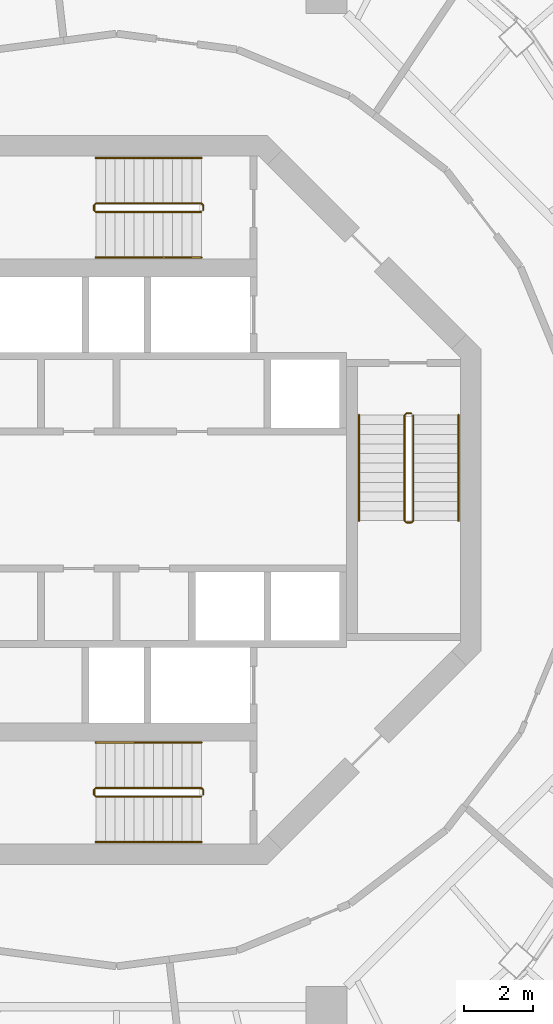
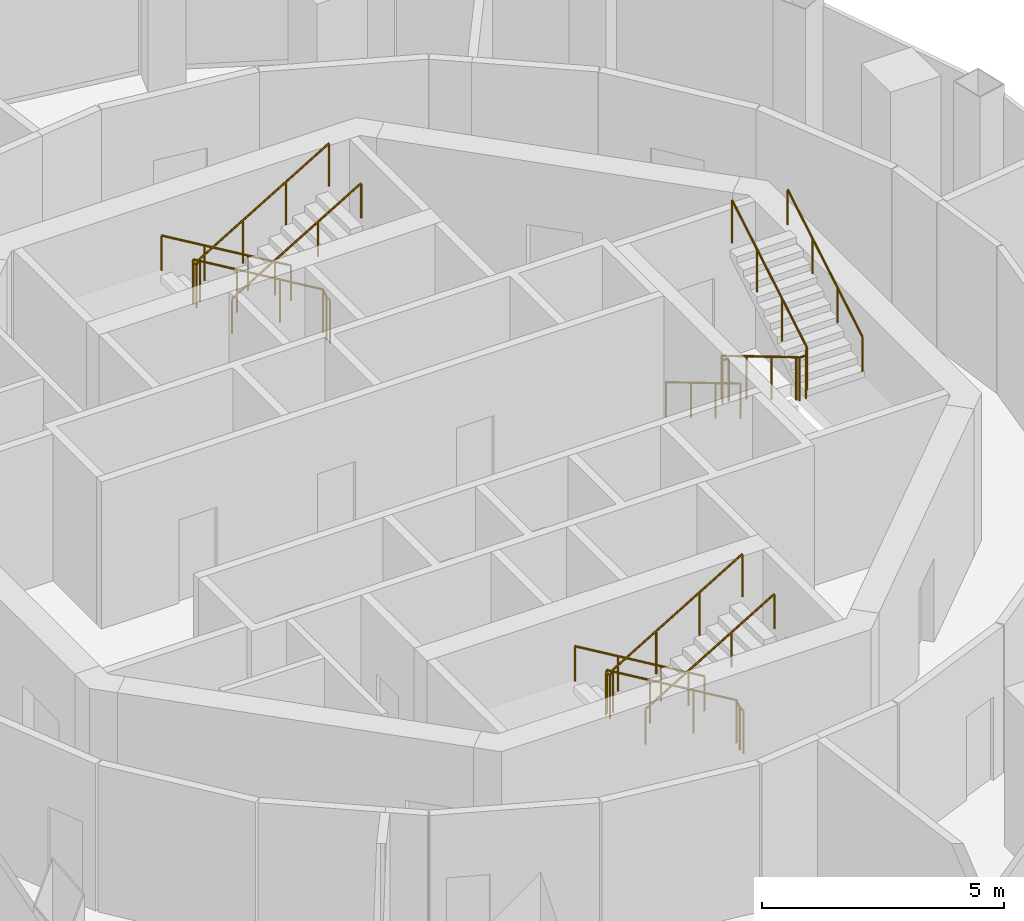
# One storey, part 11 of 11: 9 railings.
"""IFC4 building model written with IfcOpenShell, lengths in metres."""

from ifc_helpers import new_model, si_unit, direction, frame, origin, origin_2d, place, context, subcontext, project, spatial, circle, extrude, material, type_object, element, save


model = new_model("IFC4")

# Units and contexts
model_context = context("Model", 3, precision=1e-05, world=origin(), true_north=direction((0.0, 1.0)))
body_context = subcontext(model_context, "Body", "Model", "MODEL_VIEW")
ifc_project = project(units=[si_unit("LENGTHUNIT", "METRE"), si_unit("AREAUNIT", "SQUARE_METRE"), si_unit("VOLUMEUNIT", "CUBIC_METRE"), si_unit("PLANEANGLEUNIT", "RADIAN"), si_unit("MASSUNIT", "GRAM", prefix="KILO")], contexts=[model_context])

# Site, building, storey
site_placement = place(None, origin())
site = spatial("IfcSite", under=ifc_project, at=site_placement, CompositionType="ELEMENT")
building_placement = place(site_placement, origin())
building = spatial("IfcBuilding", under=site, at=building_placement, Name="Nagisa Residences", CompositionType="ELEMENT")
storey_placement = place(building_placement, frame((0.0, 0.0, 324.89990234375)))
storey = spatial("IfcBuildingStorey", under=building, at=storey_placement, Name="L80", CompositionType="ELEMENT", Elevation=324.89990234375)

# Railings
ifc_material_1 = material(Name="Stainless steel", Category="steel")
railing_type_1 = type_object("IfcRailingType", Name="Stair guard 1100", PredefinedType="GUARDRAIL", material=ifc_material_1)
railing_1_placement = place(storey_placement, frame((8.599609375, 2.52490234375, 0.0)))
element("IfcRailing", 1, at=railing_1_placement, inside=storey, type_object=railing_type_1, Name="L80 ST-E stair guard 1", PredefinedType="GUARDRAIL", context=body_context, shape_type="SweptSolid", body=[
    extrude(circle(Radius=0.02392578125, at=origin_2d()), frame((0.0, 0.0, 1.076171875), z_axis=(-1.0, 0.0, 0.0), x_axis=(0.0, -1.0, 0.0)), (0.0, 0.0, 1.0), 0.14990234375),
    extrude(circle(Radius=0.02392578125, at=origin_2d()), frame((-0.14990234375, 0.0, 1.076171875), z_axis=(-0.276389281352, -0.275041040955, 0.920848191041), x_axis=(0.705375805398, -0.708833529934, 0.0)), (0.0, 0.0, 1.0), 0.18115234375),
    extrude(circle(Radius=0.02392578125, at=origin_2d()), frame((-0.199951171875, -0.0498046875, 1.24267578125), z_axis=(0.0, -0.859308565015, 0.511457515432), x_axis=(1.0, 0.0, 0.0)), (0.0, 0.0, 1.0), 3.58447265625),
    extrude(circle(Radius=0.02392578125, at=origin_2d()), frame((-0.199951171875, -3.1298828125, 3.076171875), z_axis=(0.707106781187, -0.707106781187, 0.0), x_axis=(0.707106781187, 0.707106781187, 0.0)), (0.0, 0.0, 1.0), 0.07080078125),
    extrude(circle(Radius=0.02392578125, at=origin_2d()), frame((-0.14990234375, -3.179931640625, 3.076171875), z_axis=(1.0, 0.0, 0.0), x_axis=(0.0, 1.0, 0.0)), (0.0, 0.0, 1.0), 0.14990234375),
    extrude(circle(Radius=0.02392578125, at=origin_2d()), frame((0.0, -3.179931640625, 3.076171875), z_axis=(0.27628659633, 0.27628659633, 0.920506074601), x_axis=(-0.707106781187, 0.707106781187, 0.0)), (0.0, 0.0, 1.0), 0.18115234375),
    extrude(circle(Radius=0.02392578125, at=origin_2d()), frame((0.050048828125, -3.1298828125, 3.24267578125), z_axis=(0.0, 0.859308565015, 0.511457515432), x_axis=(-1.0, 0.0, 0.0)), (0.0, 0.0, 1.0), 3.58447265625),
    extrude(circle(Radius=0.02099609375, at=origin_2d()), origin(), (0.0, 0.0, 1.0), 1.052001953125),
    extrude(circle(Radius=0.02099609375, at=origin_2d()), frame((-0.14990234375, 0.0, 0.0)), (0.0, 0.0, 1.0), 1.052001953125),
    extrude(circle(Radius=0.02099609375, at=origin_2d()), frame((-0.199951171875, -0.0498046875, 0.166748046875)), (0.0, 0.0, 1.0), 1.052001953125),
    extrude(circle(Radius=0.02099609375, at=origin_2d()), frame((-0.199951171875, -1.076416015625, 0.77783203125)), (0.0, 0.0, 1.0), 1.052001953125),
    extrude(circle(Radius=0.02099609375, at=origin_2d()), frame((-0.199951171875, -2.103271484375, 1.388916015625)), (0.0, 0.0, 1.0), 1.052001953125),
    extrude(circle(Radius=0.02099609375, at=origin_2d()), frame((-0.199951171875, -3.1298828125, 2.0)), (0.0, 0.0, 1.0), 1.052001953125),
    extrude(circle(Radius=0.02099609375, at=origin_2d()), frame((-0.14990234375, -3.179931640625, 2.0)), (0.0, 0.0, 1.0), 1.052001953125),
    extrude(circle(Radius=0.02099609375, at=origin_2d()), frame((0.0, -3.179931640625, 2.0)), (0.0, 0.0, 1.0), 1.052001953125),
    extrude(circle(Radius=0.02099609375, at=origin_2d()), frame((0.050048828125, -3.1298828125, 2.166748046875)), (0.0, 0.0, 1.0), 1.052001953125),
    extrude(circle(Radius=0.02099609375, at=origin_2d()), frame((0.050048828125, -2.103271484375, 2.77783203125)), (0.0, 0.0, 1.0), 1.052001953125),
    extrude(circle(Radius=0.02099609375, at=origin_2d()), frame((0.050048828125, -1.076416015625, 3.388916015625)), (0.0, 0.0, 1.0), 1.052001953125),
    extrude(circle(Radius=0.02099609375, at=origin_2d()), frame((0.050048828125, -0.0498046875, 4.0)), (0.0, 0.0, 1.0), 1.052001953125),
])
railing_2_placement = place(storey_placement, frame((2.52490234375, 8.44970703125, 0.0)))
element("IfcRailing", 2, at=railing_2_placement, inside=storey, type_object=railing_type_1, Name="L80 ST-N stair guard 1", PredefinedType="GUARDRAIL", context=body_context, shape_type="SweptSolid", body=[
    extrude(circle(Radius=0.02392578125, at=origin_2d()), frame((0.0, 0.0, 1.076171875), z_axis=(0.0, 1.0, 0.0), x_axis=(-1.0, 0.0, 0.0)), (0.0, 0.0, 1.0), 0.14990234375),
    extrude(circle(Radius=0.02392578125, at=origin_2d()), frame((0.0, 0.14990234375, 1.076171875), z_axis=(-0.275041040955, 0.276389281352, 0.920848191041), x_axis=(-0.708833529934, -0.705375805398, 0.0)), (0.0, 0.0, 1.0), 0.18115234375),
    extrude(circle(Radius=0.02392578125, at=origin_2d()), frame((-0.0498046875, 0.199951171875, 1.24267578125), z_axis=(-0.859308565015, 0.0, 0.511457515432), x_axis=(0.0, -1.0, 0.0)), (0.0, 0.0, 1.0), 3.58447265625),
    extrude(circle(Radius=0.02392578125, at=origin_2d()), frame((-3.1298828125, 0.199951171875, 3.076171875), z_axis=(-0.707106781187, -0.707106781187, 0.0), x_axis=(0.707106781187, -0.707106781187, 0.0)), (0.0, 0.0, 1.0), 0.07080078125),
    extrude(circle(Radius=0.02392578125, at=origin_2d()), frame((-3.179931640625, 0.14990234375, 3.076171875), z_axis=(0.0, -1.0, 0.0), x_axis=(1.0, 0.0, 0.0)), (0.0, 0.0, 1.0), 0.14990234375),
    extrude(circle(Radius=0.02392578125, at=origin_2d()), frame((-3.179931640625, 0.0, 3.076171875), z_axis=(0.27628659633, -0.27628659633, 0.920506074601), x_axis=(0.707106781187, 0.707106781187, 0.0)), (0.0, 0.0, 1.0), 0.18115234375),
    extrude(circle(Radius=0.02392578125, at=origin_2d()), frame((-3.1298828125, -0.050048828125, 3.24267578125), z_axis=(0.859308565015, 0.0, 0.511457515432), x_axis=(0.0, 1.0, 0.0)), (0.0, 0.0, 1.0), 3.58447265625),
    extrude(circle(Radius=0.02099609375, at=origin_2d()), origin(), (0.0, 0.0, 1.0), 1.052001953125),
    extrude(circle(Radius=0.02099609375, at=origin_2d()), frame((0.0, 0.14990234375, 0.0)), (0.0, 0.0, 1.0), 1.052001953125),
    extrude(circle(Radius=0.02099609375, at=origin_2d()), frame((-0.0498046875, 0.199951171875, 0.166748046875)), (0.0, 0.0, 1.0), 1.052001953125),
    extrude(circle(Radius=0.02099609375, at=origin_2d()), frame((-1.076416015625, 0.199951171875, 0.77783203125)), (0.0, 0.0, 1.0), 1.052001953125),
    extrude(circle(Radius=0.02099609375, at=origin_2d()), frame((-2.103271484375, 0.199951171875, 1.388916015625)), (0.0, 0.0, 1.0), 1.052001953125),
    extrude(circle(Radius=0.02099609375, at=origin_2d()), frame((-3.1298828125, 0.199951171875, 2.0)), (0.0, 0.0, 1.0), 1.052001953125),
    extrude(circle(Radius=0.02099609375, at=origin_2d()), frame((-3.179931640625, 0.14990234375, 2.0)), (0.0, 0.0, 1.0), 1.052001953125),
    extrude(circle(Radius=0.02099609375, at=origin_2d()), frame((-3.179931640625, 0.0, 2.0)), (0.0, 0.0, 1.0), 1.052001953125),
    extrude(circle(Radius=0.02099609375, at=origin_2d()), frame((-3.1298828125, -0.050048828125, 2.166748046875)), (0.0, 0.0, 1.0), 1.052001953125),
    extrude(circle(Radius=0.02099609375, at=origin_2d()), frame((-2.103271484375, -0.050048828125, 2.77783203125)), (0.0, 0.0, 1.0), 1.052001953125),
    extrude(circle(Radius=0.02099609375, at=origin_2d()), frame((-1.076416015625, -0.050048828125, 3.388916015625)), (0.0, 0.0, 1.0), 1.052001953125),
    extrude(circle(Radius=0.02099609375, at=origin_2d()), frame((-0.0498046875, -0.050048828125, 4.0)), (0.0, 0.0, 1.0), 1.052001953125),
])
railing_3_placement = place(storey_placement, frame((2.52490234375, -8.599609375, 0.0)))
element("IfcRailing", 3, at=railing_3_placement, inside=storey, type_object=railing_type_1, Name="L80 ST-S stair guard 1", PredefinedType="GUARDRAIL", context=body_context, shape_type="SweptSolid", body=[
    extrude(circle(Radius=0.02392578125, at=origin_2d()), frame((0.0, 0.0, 1.076171875), z_axis=(0.0, 1.0, 0.0), x_axis=(-1.0, 0.0, 0.0)), (0.0, 0.0, 1.0), 0.14990234375),
    extrude(circle(Radius=0.02392578125, at=origin_2d()), frame((0.0, 0.14990234375, 1.076171875), z_axis=(-0.275041040955, 0.276389281352, 0.920848191041), x_axis=(-0.708833529934, -0.705375805398, 0.0)), (0.0, 0.0, 1.0), 0.18115234375),
    extrude(circle(Radius=0.02392578125, at=origin_2d()), frame((-0.0498046875, 0.199951171875, 1.24267578125), z_axis=(-0.859308565015, 0.0, 0.511457515432), x_axis=(0.0, -1.0, 0.0)), (0.0, 0.0, 1.0), 3.58447265625),
    extrude(circle(Radius=0.02392578125, at=origin_2d()), frame((-3.1298828125, 0.199951171875, 3.076171875), z_axis=(-0.707106781187, -0.707106781187, 0.0), x_axis=(0.707106781187, -0.707106781187, 0.0)), (0.0, 0.0, 1.0), 0.07080078125),
    extrude(circle(Radius=0.02392578125, at=origin_2d()), frame((-3.179931640625, 0.14990234375, 3.076171875), z_axis=(0.0, -1.0, 0.0), x_axis=(1.0, 0.0, 0.0)), (0.0, 0.0, 1.0), 0.14990234375),
    extrude(circle(Radius=0.02392578125, at=origin_2d()), frame((-3.179931640625, 0.0, 3.076171875), z_axis=(0.27628659633, -0.27628659633, 0.920506074601), x_axis=(0.707106781187, 0.707106781187, 0.0)), (0.0, 0.0, 1.0), 0.18115234375),
    extrude(circle(Radius=0.02392578125, at=origin_2d()), frame((-3.1298828125, -0.050048828125, 3.24267578125), z_axis=(0.859308565015, 0.0, 0.511457515432), x_axis=(0.0, 1.0, 0.0)), (0.0, 0.0, 1.0), 3.58447265625),
    extrude(circle(Radius=0.02099609375, at=origin_2d()), origin(), (0.0, 0.0, 1.0), 1.052001953125),
    extrude(circle(Radius=0.02099609375, at=origin_2d()), frame((0.0, 0.14990234375, 0.0)), (0.0, 0.0, 1.0), 1.052001953125),
    extrude(circle(Radius=0.02099609375, at=origin_2d()), frame((-0.0498046875, 0.199951171875, 0.166748046875)), (0.0, 0.0, 1.0), 1.052001953125),
    extrude(circle(Radius=0.02099609375, at=origin_2d()), frame((-1.076416015625, 0.199951171875, 0.77783203125)), (0.0, 0.0, 1.0), 1.052001953125),
    extrude(circle(Radius=0.02099609375, at=origin_2d()), frame((-2.103271484375, 0.199951171875, 1.388916015625)), (0.0, 0.0, 1.0), 1.052001953125),
    extrude(circle(Radius=0.02099609375, at=origin_2d()), frame((-3.1298828125, 0.199951171875, 2.0)), (0.0, 0.0, 1.0), 1.052001953125),
    extrude(circle(Radius=0.02099609375, at=origin_2d()), frame((-3.179931640625, 0.14990234375, 2.0)), (0.0, 0.0, 1.0), 1.052001953125),
    extrude(circle(Radius=0.02099609375, at=origin_2d()), frame((-3.179931640625, 0.0, 2.0)), (0.0, 0.0, 1.0), 1.052001953125),
    extrude(circle(Radius=0.02099609375, at=origin_2d()), frame((-3.1298828125, -0.050048828125, 2.166748046875)), (0.0, 0.0, 1.0), 1.052001953125),
    extrude(circle(Radius=0.02099609375, at=origin_2d()), frame((-2.103271484375, -0.050048828125, 2.77783203125)), (0.0, 0.0, 1.0), 1.052001953125),
    extrude(circle(Radius=0.02099609375, at=origin_2d()), frame((-1.076416015625, -0.050048828125, 3.388916015625)), (0.0, 0.0, 1.0), 1.052001953125),
    extrude(circle(Radius=0.02099609375, at=origin_2d()), frame((-0.0498046875, -0.050048828125, 4.0)), (0.0, 0.0, 1.0), 1.052001953125),
])
ifc_material_2 = material(Name="Stainless steel", Category="steel")
railing_type_2 = type_object("IfcRailingType", Name="Stair handrail 900", PredefinedType="HANDRAIL", material=ifc_material_2)
railing_4_placement = place(storey_placement, frame((7.07470703125, 2.47509765625, 0.166748046875)))
element("IfcRailing", 4, at=railing_4_placement, inside=storey, type_object=railing_type_2, Name="L80 ST-E stair handrail 1", PredefinedType="HANDRAIL", context=body_context, shape_type="SweptSolid", body=[
    extrude(circle(Radius=0.02392578125, at=origin_2d()), frame((0.0, 0.0, 0.8759765625), z_axis=(0.0, -0.859308565015, 0.511457515432), x_axis=(1.0, 0.0, 0.0)), (0.0, 0.0, 1.0), 3.58447265625),
    extrude(circle(Radius=0.02099609375, at=origin_2d()), origin(), (0.0, 0.0, 1.0), 0.851806640625),
    extrude(circle(Radius=0.02099609375, at=origin_2d()), frame((0.0, -1.026611328125, 0.611083984375)), (0.0, 0.0, 1.0), 0.851806640625),
    extrude(circle(Radius=0.02099609375, at=origin_2d()), frame((0.0, -2.053466796875, 1.22216796875)), (0.0, 0.0, 1.0), 0.851806640625),
    extrude(circle(Radius=0.02099609375, at=origin_2d()), frame((0.0, -3.080078125, 1.833251953125)), (0.0, 0.0, 1.0), 0.851806640625),
])
railing_5_placement = place(storey_placement, frame((9.974609375, -0.60498046875, 2.166748046875)))
element("IfcRailing", 5, at=railing_5_placement, inside=storey, type_object=railing_type_2, Name="L80 ST-E stair handrail 2", PredefinedType="HANDRAIL", context=body_context, shape_type="SweptSolid", body=[
    extrude(circle(Radius=0.02392578125, at=origin_2d()), frame((0.0, 0.0, 0.8759765625), z_axis=(0.0, 0.859308565015, 0.511457515432), x_axis=(-1.0, 0.0, 0.0)), (0.0, 0.0, 1.0), 3.58447265625),
    extrude(circle(Radius=0.02099609375, at=origin_2d()), origin(), (0.0, 0.0, 1.0), 0.851806640625),
    extrude(circle(Radius=0.02099609375, at=origin_2d()), frame((0.0, 1.026611328125, 0.611083984375)), (0.0, 0.0, 1.0), 0.851806640625),
    extrude(circle(Radius=0.02099609375, at=origin_2d()), frame((0.0, 2.053466796875, 1.22216796875)), (0.0, 0.0, 1.0), 0.851806640625),
    extrude(circle(Radius=0.02099609375, at=origin_2d()), frame((0.0, 3.080078125, 1.833251953125)), (0.0, 0.0, 1.0), 0.851806640625),
])
railing_6_placement = place(storey_placement, frame((2.47509765625, 9.974609375, 0.166748046875)))
element("IfcRailing", 6, at=railing_6_placement, inside=storey, type_object=railing_type_2, Name="L80 ST-N stair handrail 1", PredefinedType="HANDRAIL", context=body_context, shape_type="SweptSolid", body=[
    extrude(circle(Radius=0.02392578125, at=origin_2d()), frame((0.0, 0.0, 0.8759765625), z_axis=(-0.859308565015, 0.0, 0.511457515432), x_axis=(0.0, -1.0, 0.0)), (0.0, 0.0, 1.0), 3.58447265625),
    extrude(circle(Radius=0.02099609375, at=origin_2d()), origin(), (0.0, 0.0, 1.0), 0.851806640625),
    extrude(circle(Radius=0.02099609375, at=origin_2d()), frame((-1.026611328125, 0.0, 0.611083984375)), (0.0, 0.0, 1.0), 0.851806640625),
    extrude(circle(Radius=0.02099609375, at=origin_2d()), frame((-2.053466796875, 0.0, 1.22216796875)), (0.0, 0.0, 1.0), 0.851806640625),
    extrude(circle(Radius=0.02099609375, at=origin_2d()), frame((-3.080078125, 0.0, 1.833251953125)), (0.0, 0.0, 1.0), 0.851806640625),
])
railing_7_placement = place(storey_placement, frame((-0.60498046875, 7.07470703125, 2.166748046875)))
element("IfcRailing", 7, at=railing_7_placement, inside=storey, type_object=railing_type_2, Name="L80 ST-N stair handrail 2", PredefinedType="HANDRAIL", context=body_context, shape_type="SweptSolid", body=[
    extrude(circle(Radius=0.02392578125, at=origin_2d()), frame((0.0, 0.0, 0.8759765625), z_axis=(0.859308565015, 0.0, 0.511457515432), x_axis=(0.0, 1.0, 0.0)), (0.0, 0.0, 1.0), 3.58447265625),
    extrude(circle(Radius=0.02099609375, at=origin_2d()), origin(), (0.0, 0.0, 1.0), 0.851806640625),
    extrude(circle(Radius=0.02099609375, at=origin_2d()), frame((1.026611328125, 0.0, 0.611083984375)), (0.0, 0.0, 1.0), 0.851806640625),
    extrude(circle(Radius=0.02099609375, at=origin_2d()), frame((2.053466796875, 0.0, 1.22216796875)), (0.0, 0.0, 1.0), 0.851806640625),
    extrude(circle(Radius=0.02099609375, at=origin_2d()), frame((3.080078125, 0.0, 1.833251953125)), (0.0, 0.0, 1.0), 0.851806640625),
])
railing_8_placement = place(storey_placement, frame((2.47509765625, -7.07470703125, 0.166748046875)))
element("IfcRailing", 8, at=railing_8_placement, inside=storey, type_object=railing_type_2, Name="L80 ST-S stair handrail 1", PredefinedType="HANDRAIL", context=body_context, shape_type="SweptSolid", body=[
    extrude(circle(Radius=0.02392578125, at=origin_2d()), frame((0.0, 0.0, 0.8759765625), z_axis=(-0.859308565015, 0.0, 0.511457515432), x_axis=(0.0, -1.0, 0.0)), (0.0, 0.0, 1.0), 3.58447265625),
    extrude(circle(Radius=0.02099609375, at=origin_2d()), origin(), (0.0, 0.0, 1.0), 0.851806640625),
    extrude(circle(Radius=0.02099609375, at=origin_2d()), frame((-1.026611328125, 0.0, 0.611083984375)), (0.0, 0.0, 1.0), 0.851806640625),
    extrude(circle(Radius=0.02099609375, at=origin_2d()), frame((-2.053466796875, 0.0, 1.22216796875)), (0.0, 0.0, 1.0), 0.851806640625),
    extrude(circle(Radius=0.02099609375, at=origin_2d()), frame((-3.080078125, 0.0, 1.833251953125)), (0.0, 0.0, 1.0), 0.851806640625),
])
railing_9_placement = place(storey_placement, frame((-0.60498046875, -9.974609375, 2.166748046875)))
element("IfcRailing", 9, at=railing_9_placement, inside=storey, type_object=railing_type_2, Name="L80 ST-S stair handrail 2", PredefinedType="HANDRAIL", context=body_context, shape_type="SweptSolid", body=[
    extrude(circle(Radius=0.02392578125, at=origin_2d()), frame((0.0, 0.0, 0.8759765625), z_axis=(0.859308565015, 0.0, 0.511457515432), x_axis=(0.0, 1.0, 0.0)), (0.0, 0.0, 1.0), 3.58447265625),
    extrude(circle(Radius=0.02099609375, at=origin_2d()), origin(), (0.0, 0.0, 1.0), 0.851806640625),
    extrude(circle(Radius=0.02099609375, at=origin_2d()), frame((1.026611328125, 0.0, 0.611083984375)), (0.0, 0.0, 1.0), 0.851806640625),
    extrude(circle(Radius=0.02099609375, at=origin_2d()), frame((2.053466796875, 0.0, 1.22216796875)), (0.0, 0.0, 1.0), 0.851806640625),
    extrude(circle(Radius=0.02099609375, at=origin_2d()), frame((3.080078125, 0.0, 1.833251953125)), (0.0, 0.0, 1.0), 0.851806640625),
])

save(model, "model.ifc")
